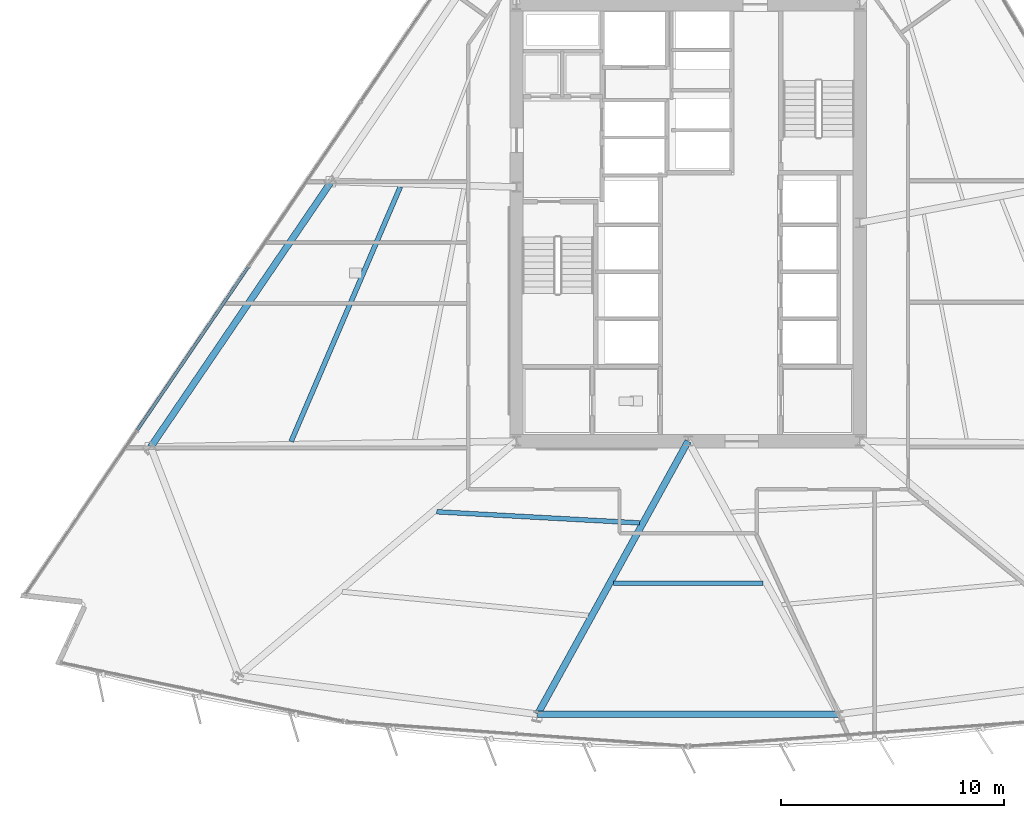
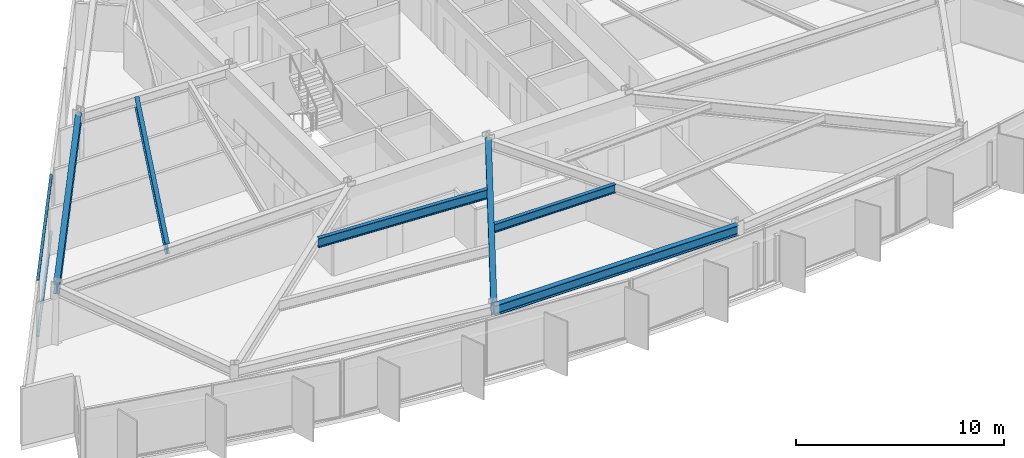
# One storey, part 3 of 16: 6 beams, 2 members, 1 element without a shape of its own.
"""IFC4 building model written with IfcOpenShell, lengths in metres."""

from ifc_helpers import new_model, si_unit, direction, frame, origin, origin_2d, place, context, subcontext, project, spatial, rectangle, i_section, extrude, material, material_profile, profile_set, type_object, element, aggregate, save


model = new_model("IFC4")

# Units and contexts
model_context = context("Model", 3, precision=1e-05, world=origin(), true_north=direction((0.0, 1.0)))
body_context = subcontext(model_context, "Body", "Model", "MODEL_VIEW")
ifc_project = project(units=[si_unit("LENGTHUNIT", "METRE"), si_unit("AREAUNIT", "SQUARE_METRE"), si_unit("VOLUMEUNIT", "CUBIC_METRE"), si_unit("PLANEANGLEUNIT", "RADIAN"), si_unit("MASSUNIT", "GRAM", prefix="KILO")], contexts=[model_context])

# Site, building, storey
site_placement = place(None, origin())
site = spatial("IfcSite", under=ifc_project, at=site_placement, CompositionType="ELEMENT")
building_placement = place(site_placement, origin())
building = spatial("IfcBuilding", under=site, at=building_placement, Name="Savorim Split Tower", CompositionType="ELEMENT")
storey_placement = place(building_placement, frame((0.0, 0.0, 33.60009765625)))
storey = spatial("IfcBuildingStorey", under=building, at=storey_placement, Name="L08", CompositionType="ELEMENT", Elevation=33.60009765625)

# Beams
ifc_material_1 = material(Name="Steel S355", Category="steel")
ifc_material_profile_1 = material_profile(ifc_material_1, i_section(OverallWidth=0.199951171875, OverallDepth=0.5, WebThickness=0.01025390625, FlangeThickness=0.01611328125, FilletRadius=0.02099609375, at=origin_2d()), Name="IPE 500")
ifc_profile_set_1 = profile_set([ifc_material_profile_1], Name="Steel S355")
beam_type_1 = type_object("IfcBeamType", Name="BM-JST-IPE500", PredefinedType="JOIST", material=ifc_profile_set_1)
beam_1_placement = place(storey_placement, frame((-3.353759765625, -15.77099609375, 3.099853515625), z_axis=(1.0, 0.0, 0.0), x_axis=(0.0, 1.0, 0.0)))
element("IfcBeam", 1, at=beam_1_placement, inside=storey, type_object=beam_type_1, Name="L08 Secondary Floor Joist JS-03", PredefinedType="JOIST", context=body_context, shape_type="SweptSolid", body=[
    extrude(i_section(OverallWidth=0.199951171875, OverallDepth=0.5, WebThickness=0.01025390625, FlangeThickness=0.01611328125, FilletRadius=0.02099609375, at=origin_2d()), origin(), (0.0, 0.0, 1.0), 6.70751953125),
])
ifc_material_profile_2 = material_profile(ifc_material_1, i_section(OverallWidth=0.2099609375, OverallDepth=0.550048828125, WebThickness=0.010986328125, FlangeThickness=0.01708984375, FilletRadius=0.02392578125, at=origin_2d()), Name="IPE 550")
ifc_profile_set_2 = profile_set([ifc_material_profile_2], Name="Steel S355")
beam_type_2 = type_object("IfcBeamType", Name="BM-JST-IPE550", PredefinedType="JOIST", material=ifc_profile_set_2)
beam_2_placement = place(storey_placement, frame((-11.27880859375, -12.568115234375, 3.074951171875), z_axis=(0.998498558437, -0.054777995566, 0.0), x_axis=(0.054777995566, 0.998498558437, 0.0)))
element("IfcBeam", 2, at=beam_2_placement, inside=storey, type_object=beam_type_2, Name="L08 Secondary Floor Joist JS-02", PredefinedType="JOIST", context=body_context, shape_type="SweptSolid", body=[
    extrude(i_section(OverallWidth=0.2099609375, OverallDepth=0.550048828125, WebThickness=0.010986328125, FlangeThickness=0.01708984375, FilletRadius=0.02392578125, at=origin_2d()), origin(), (0.0, 0.0, 1.0), 9.10546875),
])
ifc_material_profile_3 = material_profile(ifc_material_1, i_section(OverallWidth=0.219970703125, OverallDepth=0.60009765625, WebThickness=0.011962890625, FlangeThickness=0.01904296875, FilletRadius=0.02392578125, at=origin_2d()), Name="IPE 600")
ifc_profile_set_3 = profile_set([ifc_material_profile_3], Name="Steel S355")
beam_type_3 = type_object("IfcBeamType", Name="BM-JST-IPE600", PredefinedType="JOIST", material=ifc_profile_set_3)
beam_3_placement = place(storey_placement, frame((-12.912353515625, 2.011962890625, 3.0498046875), z_axis=(-0.394130204012, -0.919054613331, 0.0), x_axis=(0.919054613331, -0.394130204012, 0.0)))
element("IfcBeam", 3, at=beam_3_placement, inside=storey, type_object=beam_type_3, Name="L08 Secondary Floor Joist JS-10", PredefinedType="JOIST", context=body_context, shape_type="SweptSolid", body=[
    extrude(i_section(OverallWidth=0.219970703125, OverallDepth=0.60009765625, WebThickness=0.011962890625, FlangeThickness=0.01904296875, FilletRadius=0.02392578125, at=origin_2d()), origin(), (0.0, 0.0, 1.0), 12.433349609375),
])
ifc_material_profile_4 = material_profile(ifc_material_1, i_section(OverallWidth=0.300048828125, OverallDepth=0.60009765625, WebThickness=0.015380859375, FlangeThickness=0.030029296875, FilletRadius=0.027099609375, at=origin_2d()), Name="HEB 600")
ifc_profile_set_4 = profile_set([ifc_material_profile_4], Name="Steel S355")
beam_type_4 = type_object("IfcBeamType", Name="BM-PRI-HEB600", PredefinedType="BEAM", material=ifc_profile_set_4)
beam_4_placement = place(storey_placement, frame((-6.75732421875, -21.65185546875, 3.0498046875), z_axis=(0.482947259093, 0.875649441806, 0.0), x_axis=(-0.875649441806, 0.482947259093, 0.0)))
element("IfcBeam", 4, at=beam_4_placement, inside=storey, type_object=beam_type_4, Name="L08 Primary Floor Girder RG-02", PredefinedType="BEAM", context=body_context, shape_type="SweptSolid", body=[
    extrude(i_section(OverallWidth=0.300048828125, OverallDepth=0.60009765625, WebThickness=0.015380859375, FlangeThickness=0.030029296875, FilletRadius=0.027099609375, at=origin_2d()), origin(), (0.0, 0.0, 1.0), 13.991943359375),
])
ifc_material_profile_5 = material_profile(ifc_material_1, i_section(OverallWidth=0.300048828125, OverallDepth=0.590087890625, WebThickness=0.012939453125, FlangeThickness=0.02490234375, FilletRadius=0.027099609375, at=origin_2d()), Name="HEA 600")
ifc_profile_set_5 = profile_set([ifc_material_profile_5], Name="Steel S355")
beam_type_5 = type_object("IfcBeamType", Name="BM-SPN-HEA600", PredefinedType="SPANDREL", material=ifc_profile_set_5)
beam_5_placement = place(storey_placement, frame((-6.75732421875, -21.65185546875, 3.054931640625), z_axis=(1.0, 0.0, 0.0), x_axis=(0.0, 1.0, 0.0)))
element("IfcBeam", 5, at=beam_5_placement, inside=storey, type_object=beam_type_5, Name="L08 Perimeter Spandrel Beam 2", PredefinedType="SPANDREL", context=body_context, shape_type="SweptSolid", body=[
    extrude(i_section(OverallWidth=0.300048828125, OverallDepth=0.590087890625, WebThickness=0.012939453125, FlangeThickness=0.02490234375, FilletRadius=0.027099609375, at=origin_2d()), origin(), (0.0, 0.0, 1.0), 13.5146484375),
])
beam_6_placement = place(storey_placement, frame((-16.005126953125, 2.25634765625, 3.054931640625), z_axis=(-0.562473546958, -0.826815281047, 0.0), x_axis=(0.826815281047, -0.562473546958, 0.0)))
element("IfcBeam", 6, at=beam_6_placement, inside=storey, type_object=beam_type_5, Name="L08 Perimeter Spandrel Beam 9", PredefinedType="SPANDREL", context=body_context, shape_type="SweptSolid", body=[
    extrude(i_section(OverallWidth=0.300048828125, OverallDepth=0.590087890625, WebThickness=0.012939453125, FlangeThickness=0.02490234375, FilletRadius=0.027099609375, at=origin_2d()), origin(), (0.0, 0.0, 1.0), 14.414306640625),
])

# Curtain wall, members
ifc_material_2 = material(Name="Dark Ceramic-Fritted Insulated Glass", Category="glass")
curtain_wall_type = type_object("IfcCurtainWallType", Name="CW-TWR-FRIT-A", PredefinedType="NOTDEFINED", material=ifc_material_2)
curtain_wall_placement = place(storey_placement, origin())
curtain_wall = element("IfcCurtainWall", 7, at=curtain_wall_placement, inside=storey, type_object=curtain_wall_type, Name="L08 Curtain Wall CW-L08-WEST", PredefinedType="NOTDEFINED")
ifc_material_3 = material(Name="Charcoal Anodised Aluminium", Category="aluminium")
ifc_material_profile_6 = material_profile(ifc_material_3, rectangle(XDim=0.139892578125, YDim=0.054931640625, at=origin_2d()), Name="ALU-T 140x55")
ifc_profile_set_6 = profile_set([ifc_material_profile_6], Name="Charcoal Anodised Aluminium")
member_type = type_object("IfcMemberType", Name="CWT-140x55", PredefinedType="USERDEFINED", material=ifc_profile_set_6)
member_1_placement = place(storey_placement, frame((-19.736328125, -1.5859375, 0.02734375), z_axis=(-0.562463858464, -0.826821871942, 0.0), x_axis=(0.826821871942, -0.562463858464, 0.0)))
member_1 = element("IfcMember", 8, at=member_1_placement, type_object=member_type, Name="CW-02 transom 3.1", ObjectType="TRANSOM", PredefinedType="USERDEFINED", context=body_context, shape_type="SweptSolid", body=[
    extrude(rectangle(XDim=0.139892578125, YDim=0.054931640625, at=origin_2d()), origin(), (0.0, 0.0, 1.0), 8.854736328125),
])
member_2_placement = place(storey_placement, frame((-19.736328125, -1.5859375, 3.322509765625), z_axis=(-0.562463858464, -0.826821871942, 0.0), x_axis=(0.826821871942, -0.562463858464, 0.0)))
member_2 = element("IfcMember", 9, at=member_2_placement, type_object=member_type, Name="CW-02 transom 3.2", ObjectType="TRANSOM", PredefinedType="USERDEFINED", context=body_context, shape_type="SweptSolid", body=[
    extrude(rectangle(XDim=0.139892578125, YDim=0.054931640625, at=origin_2d()), origin(), (0.0, 0.0, 1.0), 8.854736328125),
])
aggregate(curtain_wall, [member_1, member_2])

save(model, "model.ifc")
